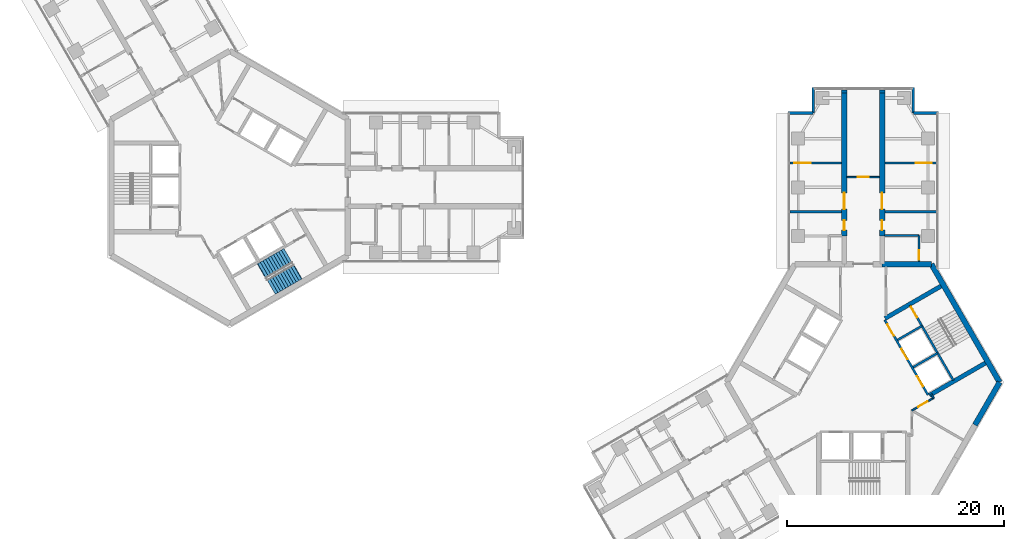
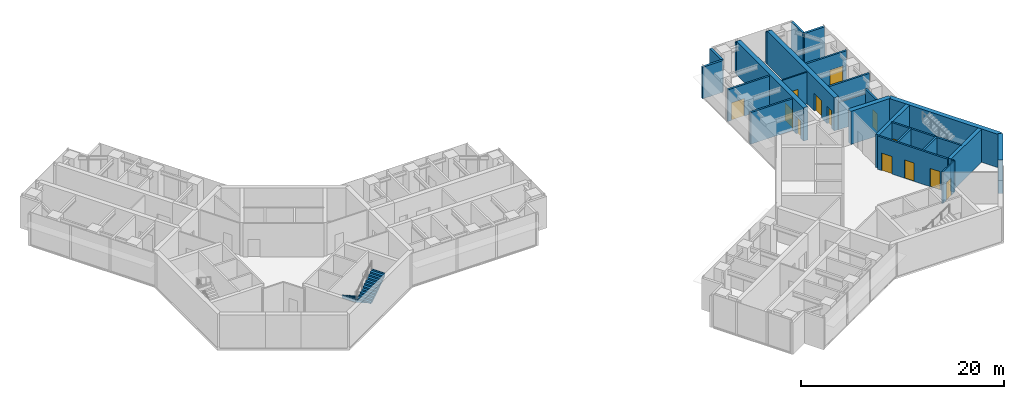
# One storey, part 15 of 17: 26 walls, 13 doors, 2 stair flights, 13 openings, 1 element without a shape of its own.
"""IFC4 building model written with IfcOpenShell, lengths in metres."""

from ifc_helpers import new_model, si_unit, direction, frame, frame_2d, origin, place, context, subcontext, project, spatial, polyline, rectangle, outline, extrude, material, layer, layer_set, type_object, element, fill, aggregate, save


model = new_model("IFC4")

# Units and contexts
model_context = context("Model", 3, precision=1e-05, world=origin(), true_north=direction((0.0, 1.0)))
body_context = subcontext(model_context, "Body", "Model", "MODEL_VIEW")
ifc_project = project(units=[si_unit("LENGTHUNIT", "METRE"), si_unit("AREAUNIT", "SQUARE_METRE"), si_unit("VOLUMEUNIT", "CUBIC_METRE"), si_unit("PLANEANGLEUNIT", "RADIAN"), si_unit("MASSUNIT", "GRAM", prefix="KILO")], contexts=[model_context])

# Site, building, storey
site_placement = place(None, origin())
site = spatial("IfcSite", under=ifc_project, at=site_placement, CompositionType="ELEMENT")
building_placement = place(site_placement, origin())
building = spatial("IfcBuilding", under=site, at=building_placement, Name="Upepo Twin Towers", CompositionType="ELEMENT")
storey_placement = place(building_placement, frame((0.0, 0.0, 190.5)))
storey = spatial("IfcBuildingStorey", under=building, at=storey_placement, Name="L46", CompositionType="ELEMENT", Elevation=190.5)

# Wall
ifc_material_1 = material(Name="Concrete blockwork, plastered both faces", Category="masonry")
ifc_layer_1 = layer(ifc_material_1, 0.215087890625)
ifc_layer_set_1 = layer_set([ifc_layer_1], Name="Blockwork partition 215")
wall_type_1 = type_object("IfcWallType", Name="Blockwork partition 215", PredefinedType="PARTITIONING", material=ifc_layer_set_1)
wall_1_placement = place(storey_placement, frame((56.5, -2.25, 0.0), z_axis=(0.0, 0.0, 1.0), x_axis=(-1.0, 0.0, 0.0)))
element("IfcWall", 1, at=wall_1_placement, inside=storey, type_object=wall_type_1, Name="T2 partition AL at 15.75", PredefinedType="PARTITIONING", context=body_context, shape_type="SweptSolid", body=[
    extrude(rectangle(XDim=4.75, YDim=0.215087890625, at=frame_2d((2.375, 0.0))), origin(), (0.0, 0.0, 1.0), 3.800048828125),
])

# Wall, opening, door
wall_2_placement = place(storey_placement, frame((56.5, 2.25, 0.0), z_axis=(0.0, 0.0, 1.0), x_axis=(-1.0, 0.0, 0.0)))
wall_2 = element("IfcWall", 2, at=wall_2_placement, inside=storey, type_object=wall_type_1, Name="T2 partition AL at 20.25", PredefinedType="PARTITIONING", context=body_context, shape_type="SweptSolid", body=[
    extrude(rectangle(XDim=4.75, YDim=0.215087890625, at=frame_2d((2.375, 0.0))), origin(), (0.0, 0.0, 1.0), 3.800048828125),
])
opening_1_placement = place(wall_2_placement, frame((2.85009765625, 0.0, 0.0)))
opening_1 = element("IfcOpeningElement", 3, at=opening_1_placement, cuts=wall_2, Name="Opening D13", PredefinedType="OPENING", context=body_context, shape_type="SweptSolid", body=[
    extrude(rectangle(XDim=1.5, YDim=2.10009765625, at=frame_2d((0.75, 1.050048828125))), frame((0.0, 0.117431640625, 0.0), z_axis=(0.0, -1.0, 0.0), x_axis=(1.0, 0.0, 0.0)), (0.0, 0.0, 1.0), 0.235107421875),
])
ifc_material_2 = material(Name="Timber doorset", Category="wood")
door_type_1 = type_object("IfcDoorType", Name="Double door 1500 FD30", OperationType="DOUBLE_DOOR_SINGLE_SWING", PredefinedType="DOOR", material=ifc_material_2)
door_1_placement = place(opening_1_placement, origin())
door_1 = element("IfcDoor", 4, at=door_1_placement, inside=storey, type_object=door_type_1, Name="T2 L46 connecting door", OperationType="DOUBLE_DOOR_SINGLE_SWING", OverallHeight=2.10009765625, OverallWidth=1.5, PredefinedType="DOOR", context=body_context, shape_type="SweptSolid", body=[
    extrude(rectangle(XDim=1.5, YDim=2.10009765625, at=frame_2d((0.75, 1.050048828125))), frame((0.0, 0.02490234375, 0.0), z_axis=(0.0, -1.0, 0.0), x_axis=(1.0, 0.0, 0.0)), (0.0, 0.0, 1.0), 0.050048828125),
])
fill(opening_1, door_1)

# Wall
wall_3_placement = place(storey_placement, frame((60.5, -2.25, 0.0), z_axis=(0.0, 0.0, 1.0), x_axis=(1.0, 0.0, 0.0)))
element("IfcWall", 5, at=wall_3_placement, inside=storey, type_object=wall_type_1, Name="T2 partition AR at 15.75", PredefinedType="PARTITIONING", context=body_context, shape_type="SweptSolid", body=[
    extrude(rectangle(XDim=4.75, YDim=0.215087890625, at=frame_2d((2.375, 0.0))), origin(), (0.0, 0.0, 1.0), 3.800048828125),
])

# Wall, opening, door
wall_4_placement = place(storey_placement, frame((60.5, 2.25, 0.0), z_axis=(0.0, 0.0, 1.0), x_axis=(1.0, 0.0, 0.0)))
wall_4 = element("IfcWall", 6, at=wall_4_placement, inside=storey, type_object=wall_type_1, Name="T2 partition AR at 20.25", PredefinedType="PARTITIONING", context=body_context, shape_type="SweptSolid", body=[
    extrude(rectangle(XDim=4.75, YDim=0.215087890625, at=frame_2d((2.375, 0.0))), origin(), (0.0, 0.0, 1.0), 3.800048828125),
])
opening_2_placement = place(wall_4_placement, frame((2.85009765625, 0.0, 0.0)))
opening_2 = element("IfcOpeningElement", 7, at=opening_2_placement, cuts=wall_4, Name="Opening D13", PredefinedType="OPENING", context=body_context, shape_type="SweptSolid", body=[
    extrude(rectangle(XDim=1.5, YDim=2.10009765625, at=frame_2d((0.75, 1.050048828125))), frame((0.0, 0.117431640625, 0.0), z_axis=(0.0, -1.0, 0.0), x_axis=(1.0, 0.0, 0.0)), (0.0, 0.0, 1.0), 0.235107421875),
])
door_2_placement = place(opening_2_placement, origin())
door_2 = element("IfcDoor", 8, at=door_2_placement, inside=storey, type_object=door_type_1, Name="T2 L46 connecting door", OperationType="DOUBLE_DOOR_SINGLE_SWING", OverallHeight=2.10009765625, OverallWidth=1.5, PredefinedType="DOOR", context=body_context, shape_type="SweptSolid", body=[
    extrude(rectangle(XDim=1.5, YDim=2.10009765625, at=frame_2d((0.75, 1.050048828125))), frame((0.0, 0.02490234375, 0.0), z_axis=(0.0, -1.0, 0.0), x_axis=(1.0, 0.0, 0.0)), (0.0, 0.0, 1.0), 0.050048828125),
])
fill(opening_2, door_2)

wall_5_placement = place(storey_placement, frame((63.64990234375, -6.842041015625, 0.0), z_axis=(0.0, 0.0, 1.0), x_axis=(0.0, 1.0, 0.0)))
wall_5 = element("IfcWall", 9, at=wall_5_placement, inside=storey, type_object=wall_type_1, Name="T2 WC bay partition AR at 11.16", PredefinedType="PARTITIONING", context=body_context, shape_type="SweptSolid", body=[
    extrude(rectangle(XDim=2.400146484375, YDim=0.215087890625, at=frame_2d((1.2001953125, 0.0))), origin(), (0.0, 0.0, 1.0), 3.800048828125),
])
opening_3_placement = place(wall_5_placement, frame((0.14990234375, 0.0, 0.0)))
opening_3 = element("IfcOpeningElement", 10, at=opening_3_placement, cuts=wall_5, Name="Opening D14", PredefinedType="OPENING", context=body_context, shape_type="SweptSolid", body=[
    extrude(rectangle(XDim=0.89990234375, YDim=2.10009765625, at=frame_2d((0.449951171875, 1.050048828125))), frame((0.0, 0.117431640625, 0.0), z_axis=(0.0, -1.0, 0.0), x_axis=(1.0, 0.0, 0.0)), (0.0, 0.0, 1.0), 0.235107421875),
])
ifc_material_3 = material(Name="Timber doorset", Category="wood")
door_type_2 = type_object("IfcDoorType", Name="Office door 900 FD30", OperationType="SINGLE_SWING_LEFT", PredefinedType="DOOR", material=ifc_material_3)
door_3_placement = place(opening_3_placement, origin())
door_3 = element("IfcDoor", 11, at=door_3_placement, inside=storey, type_object=door_type_2, Name="T2 L46 WC bay inner room door", OperationType="SINGLE_SWING_LEFT", OverallHeight=2.10009765625, OverallWidth=0.89990234375, PredefinedType="DOOR", context=body_context, shape_type="SweptSolid", body=[
    extrude(rectangle(XDim=0.89990234375, YDim=2.10009765625, at=frame_2d((0.449951171875, 1.050048828125))), frame((0.0, 0.02490234375, 0.0), z_axis=(0.0, -1.0, 0.0), x_axis=(1.0, 0.0, 0.0)), (0.0, 0.0, 1.0), 0.050048828125),
])
fill(opening_3, door_3)

# Walls
wall_6_placement = place(storey_placement, frame((60.449951171875, -4.44189453125, 0.0), z_axis=(0.0, 0.0, 1.0), x_axis=(1.0, 0.0, 0.0)))
element("IfcWall", 12, at=wall_6_placement, inside=storey, type_object=wall_type_1, Name="T2 WC bay partition AR end at 13.56", PredefinedType="PARTITIONING", context=body_context, shape_type="SweptSolid", body=[
    extrude(rectangle(XDim=3.199951171875, YDim=0.215087890625, at=frame_2d((1.60009765625, 0.0))), origin(), (0.0, 0.0, 1.0), 3.266845703125),
])
ifc_material_4 = material(Name="Dense concrete blockwork", Category="masonry")
ifc_layer_2 = layer(ifc_material_4, 0.5)
ifc_layer_set_2 = layer_set([ifc_layer_2], Name="Buttress closer 500, blockwork with fire-stopping to the curtain wall")
wall_type_2 = type_object("IfcWallType", Name="Buttress closer 500, blockwork with fire-stopping to the curtain wall", PredefinedType="PARTITIONING", material=ifc_layer_set_2)
for number, where, z_axis, x_axis, name in (
    (13, (56.75, 8.699951171875, 0.0), (0.0, 0.0, 1.0), (0.0, 1.0, 0.0), "T2 L46 wing A buttress closer L"),
    (14, (60.25, 8.699951171875, 0.0), (0.0, 0.0, 1.0), (0.0, 1.0, 0.0), "T2 L46 wing A buttress closer R"),
):
    element("IfcWall", number, at=place(storey_placement, frame(where, z_axis=z_axis, x_axis=x_axis)), inside=storey, type_object=wall_type_2, Name=name, PredefinedType="PARTITIONING", context=body_context, shape_type="SweptSolid", body=[
        extrude(rectangle(XDim=0.28759765625, YDim=0.5, at=frame_2d((0.143798828125, 0.0))), origin(), (0.0, 0.0, 1.0), 3.800048828125),
    ])

# Wall, openings, doors
ifc_material_5 = material(Name="Concrete C60/75", Category="concrete")
ifc_layer_3 = layer(ifc_material_5, 0.5)
ifc_layer_set_3 = layer_set([ifc_layer_3], Name="Concrete C60/75")
wall_type_3 = type_object("IfcWallType", Name="Buttress wall 500 RC", PredefinedType="SHEAR", material=ifc_layer_set_3)
wall_7_placement = place(storey_placement, frame((56.75, -4.5, 0.0), z_axis=(0.0, 0.0, 1.0), x_axis=(0.0, 1.0, 0.0)))
wall_7 = element("IfcWall", 15, at=wall_7_placement, inside=storey, type_object=wall_type_3, Name="T2 wing A buttress wall L part 2", PredefinedType="SHEAR", context=body_context, shape_type="SweptSolid", body=[
    extrude(rectangle(XDim=13.199951171875, YDim=0.5, at=frame_2d((6.60009765625, 0.0))), origin(), (0.0, 0.0, 1.0), 4.0),
])
opening_4_placement = place(wall_7_placement, frame((0.550048828125, 0.0, 0.0)))
opening_4 = element("IfcOpeningElement", 16, at=opening_4_placement, cuts=wall_7, Name="Opening D11", PredefinedType="OPENING", context=body_context, shape_type="SweptSolid", body=[
    extrude(rectangle(XDim=0.89990234375, YDim=2.10009765625, at=frame_2d((0.449951171875, 1.050048828125))), frame((0.0, 0.260009765625, 0.0), z_axis=(0.0, -1.0, 0.0), x_axis=(1.0, 0.0, 0.0)), (0.0, 0.0, 1.0), 0.52001953125),
])
opening_5_placement = place(wall_7_placement, frame((2.5, 0.0, 0.0)))
opening_5 = element("IfcOpeningElement", 17, at=opening_5_placement, cuts=wall_7, Name="Opening D13", PredefinedType="OPENING", context=body_context, shape_type="SweptSolid", body=[
    extrude(rectangle(XDim=1.5, YDim=2.10009765625, at=frame_2d((0.75, 1.050048828125))), frame((0.0, 0.260009765625, 0.0), z_axis=(0.0, -1.0, 0.0), x_axis=(1.0, 0.0, 0.0)), (0.0, 0.0, 1.0), 0.52001953125),
])
door_4_placement = place(opening_5_placement, origin())
door_4 = element("IfcDoor", 18, at=door_4_placement, inside=storey, type_object=door_type_1, Name="T2 L46 tutorial room door", OperationType="DOUBLE_DOOR_SINGLE_SWING", OverallHeight=2.10009765625, OverallWidth=1.5, PredefinedType="DOOR", context=body_context, shape_type="SweptSolid", body=[
    extrude(rectangle(XDim=1.5, YDim=2.10009765625, at=frame_2d((0.75, 1.050048828125))), frame((0.0, 0.02490234375, 0.0), z_axis=(0.0, -1.0, 0.0), x_axis=(1.0, 0.0, 0.0)), (0.0, 0.0, 1.0), 0.050048828125),
])
fill(opening_5, door_4)
ifc_material_6 = material(Name="Timber doorset", Category="wood")
door_type_3 = type_object("IfcDoorType", Name="Toilet door 900", OperationType="SINGLE_SWING_LEFT", PredefinedType="DOOR", material=ifc_material_6)
door_5_placement = place(opening_4_placement, origin())
door_5 = element("IfcDoor", 19, at=door_5_placement, inside=storey, type_object=door_type_3, Name="T2 L46 toilets door", OperationType="SINGLE_SWING_LEFT", OverallHeight=2.10009765625, OverallWidth=0.89990234375, PredefinedType="DOOR", context=body_context, shape_type="SweptSolid", body=[
    extrude(rectangle(XDim=0.89990234375, YDim=2.10009765625, at=frame_2d((0.449951171875, 1.050048828125))), frame((0.0, 0.02490234375, 0.0), z_axis=(0.0, -1.0, 0.0), x_axis=(1.0, 0.0, 0.0)), (0.0, 0.0, 1.0), 0.050048828125),
])
fill(opening_4, door_5)

wall_8_placement = place(storey_placement, frame((60.25, -4.5, 0.0), z_axis=(0.0, 0.0, 1.0), x_axis=(0.0, 1.0, 0.0)))
wall_8 = element("IfcWall", 20, at=wall_8_placement, inside=storey, type_object=wall_type_3, Name="T2 wing A buttress wall R part 2", PredefinedType="SHEAR", context=body_context, shape_type="SweptSolid", body=[
    extrude(rectangle(XDim=13.199951171875, YDim=0.5, at=frame_2d((6.60009765625, 0.0))), origin(), (0.0, 0.0, 1.0), 4.0),
])
opening_6_placement = place(wall_8_placement, frame((0.550048828125, 0.0, 0.0)))
opening_6 = element("IfcOpeningElement", 21, at=opening_6_placement, cuts=wall_8, Name="Opening D11", PredefinedType="OPENING", context=body_context, shape_type="SweptSolid", body=[
    extrude(rectangle(XDim=0.89990234375, YDim=2.10009765625, at=frame_2d((0.449951171875, 1.050048828125))), frame((0.0, 0.260009765625, 0.0), z_axis=(0.0, -1.0, 0.0), x_axis=(1.0, 0.0, 0.0)), (0.0, 0.0, 1.0), 0.52001953125),
])
opening_7_placement = place(wall_8_placement, frame((2.5, 0.0, 0.0)))
opening_7 = element("IfcOpeningElement", 22, at=opening_7_placement, cuts=wall_8, Name="Opening D13", PredefinedType="OPENING", context=body_context, shape_type="SweptSolid", body=[
    extrude(rectangle(XDim=1.5, YDim=2.10009765625, at=frame_2d((0.75, 1.050048828125))), frame((0.0, 0.260009765625, 0.0), z_axis=(0.0, -1.0, 0.0), x_axis=(1.0, 0.0, 0.0)), (0.0, 0.0, 1.0), 0.52001953125),
])
door_6_placement = place(opening_7_placement, origin())
door_6 = element("IfcDoor", 23, at=door_6_placement, inside=storey, type_object=door_type_1, Name="T2 L46 lecture room door", OperationType="DOUBLE_DOOR_SINGLE_SWING", OverallHeight=2.10009765625, OverallWidth=1.5, PredefinedType="DOOR", context=body_context, shape_type="SweptSolid", body=[
    extrude(rectangle(XDim=1.5, YDim=2.10009765625, at=frame_2d((0.75, 1.050048828125))), frame((0.0, 0.02490234375, 0.0), z_axis=(0.0, -1.0, 0.0), x_axis=(1.0, 0.0, 0.0)), (0.0, 0.0, 1.0), 0.050048828125),
])
fill(opening_7, door_6)
door_7_placement = place(opening_6_placement, origin())
door_7 = element("IfcDoor", 24, at=door_7_placement, inside=storey, type_object=door_type_3, Name="T2 L46 accessible wc door", OperationType="SINGLE_SWING_LEFT", OverallHeight=2.10009765625, OverallWidth=0.89990234375, PredefinedType="DOOR", context=body_context, shape_type="SweptSolid", body=[
    extrude(rectangle(XDim=0.89990234375, YDim=2.10009765625, at=frame_2d((0.449951171875, 1.050048828125))), frame((0.0, 0.02490234375, 0.0), z_axis=(0.0, -1.0, 0.0), x_axis=(1.0, 0.0, 0.0)), (0.0, 0.0, 1.0), 0.050048828125),
])
fill(opening_6, door_7)

# Walls
ifc_material_7 = material(Name="Concrete C60/75", Category="concrete")
ifc_layer_4 = layer(ifc_material_7, 0.5)
ifc_layer_set_4 = layer_set([ifc_layer_4], Name="Concrete C60/75")
wall_type_4 = type_object("IfcWallType", Name="Core wall 500 RC", PredefinedType="SHEAR", material=ifc_layer_set_4)
wall_9_placement = place(storey_placement, frame((64.7978515625, -7.091552734375, 0.0), z_axis=(0.0, 0.0, 1.0), x_axis=(-1.0, 0.0, 0.0)))
element("IfcWall", 25, at=wall_9_placement, inside=storey, type_object=wall_type_4, Name="T2 core wall 000 R", PredefinedType="SHEAR", context=body_context, shape_type="SweptSolid", body=[
    extrude(rectangle(XDim=4.5478515625, YDim=0.5, at=frame_2d((2.27392578125, 0.0))), origin(), (0.0, 0.0, 1.0), 4.0),
])
wall_10_placement = place(storey_placement, frame((68.82177734375, -21.938720703125, 0.0), z_axis=(0.0, 0.0, 1.0), x_axis=(0.500024481964, 0.866011268655, 0.0)))
element("IfcWall", 26, at=wall_10_placement, inside=storey, type_object=wall_type_4, Name="T2 core wall 240 L", PredefinedType="SHEAR", context=body_context, shape_type="SweptSolid", body=[
    extrude(rectangle(XDim=4.548095703125, YDim=0.5, at=frame_2d((2.27392578125, 0.0))), origin(), (0.0, 0.0, 1.0), 4.0),
])
wall_11_placement = place(storey_placement, frame((71.095947265625, -18.0, 0.0), z_axis=(0.0, 0.0, 1.0), x_axis=(-0.500005998175, 0.866021940709, 0.0)))
element("IfcWall", 27, at=wall_11_placement, inside=storey, type_object=wall_type_4, Name="T2 core wall 300", PredefinedType="SHEAR", context=body_context, shape_type="SweptSolid", body=[
    extrude(rectangle(XDim=12.595947265625, YDim=0.5, at=frame_2d((6.2978515625, 0.0))), origin(), (0.0, 0.0, 1.0), 4.0),
])
ifc_material_8 = material(Name="Blockwork with anodised aluminium cladding", Category="masonry")
ifc_layer_5 = layer(ifc_material_8, 0.25)
ifc_layer_set_5 = layer_set([ifc_layer_5], Name="Notch cladding wall 250, pale metal")
wall_type_5 = type_object("IfcWallType", Name="Notch cladding wall 250, pale metal", PredefinedType="STANDARD", material=ifc_layer_set_5)
for number, where, z_axis, x_axis, name in (
    (28, (51.550048828125, 6.875, 0.0), (0.0, 0.0, 1.0), (1.0, 0.0, 0.0), "T2 L46 wing A notch wall L1"),
    (29, (53.875, 6.875, 0.0), (0.0, 0.0, 1.0), (0.0, 1.0, 0.0), "T2 L46 wing A notch wall L2"),
    (30, (65.449951171875, 6.875, 0.0), (0.0, 0.0, 1.0), (-1.0, 0.0, 0.0), "T2 L46 wing A notch wall R1"),
    (31, (63.125, 6.875, 0.0), (0.0, 0.0, 1.0), (0.0, 1.0, 0.0), "T2 L46 wing A notch wall R2"),
):
    element("IfcWall", number, at=place(storey_placement, frame(where, z_axis=z_axis, x_axis=x_axis)), inside=storey, type_object=wall_type_5, Name=name, PredefinedType="STANDARD", context=body_context, shape_type="SweptSolid", body=[
        extrude(rectangle(XDim=2.324951171875, YDim=0.25, at=frame_2d((1.16259765625, 0.0))), origin(), (0.0, 0.0, 1.0), 3.800048828125),
    ])

# Wall, openings, doors
ifc_material_9 = material(Name="Concrete C40/50", Category="concrete")
ifc_layer_6 = layer(ifc_material_9, 0.199951171875)
ifc_layer_set_6 = layer_set([ifc_layer_6], Name="Concrete C40/50")
wall_type_6 = type_object("IfcWallType", Name="Shaft wall 200 RC", PredefinedType="SHEAR", material=ifc_layer_set_6)
wall_12_placement = place(storey_placement, frame((64.483642578125, -19.1640625, 0.0), z_axis=(0.0, 0.0, 1.0), x_axis=(-0.49999894854, 0.866026010844, 0.0)))
wall_12 = element("IfcWall", 32, at=wall_12_placement, inside=storey, type_object=wall_type_6, Name="T2 core W300 front wall", PredefinedType="SHEAR", context=body_context, shape_type="SweptSolid", body=[
    extrude(rectangle(XDim=8.0, YDim=0.199951171875, at=frame_2d((4.0, 0.0))), origin(), (0.0, 0.0, 1.0), 4.0),
])
opening_8_placement = place(wall_12_placement, frame((6.300048828125, 0.0, 0.0)))
opening_8 = element("IfcOpeningElement", 33, at=opening_8_placement, cuts=wall_12, Name="Opening D4", PredefinedType="OPENING", context=body_context, shape_type="SweptSolid", body=[
    extrude(rectangle(XDim=1.199951171875, YDim=2.10009765625, at=frame_2d((0.60009765625, 1.050048828125))), frame((0.0, 0.10986328125, 0.0), z_axis=(0.0, -1.0, 0.0), x_axis=(1.0, 0.0, 0.0)), (0.0, 0.0, 1.0), 0.219970703125),
])
opening_9_placement = place(wall_12_placement, frame((0.89990234375, 0.0, 0.0)))
opening_9 = element("IfcOpeningElement", 34, at=opening_9_placement, cuts=wall_12, Name="Opening LD1", PredefinedType="OPENING", context=body_context, shape_type="SweptSolid", body=[
    extrude(rectangle(XDim=1.10009765625, YDim=2.199951171875, at=frame_2d((0.550048828125, 1.10009765625))), frame((0.0, 0.10986328125, 0.0), z_axis=(0.0, -1.0, 0.0), x_axis=(1.0, 0.0, 0.0)), (0.0, 0.0, 1.0), 0.219970703125),
])
opening_10_placement = place(wall_12_placement, frame((3.800048828125, 0.0, 0.0)))
opening_10 = element("IfcOpeningElement", 35, at=opening_10_placement, cuts=wall_12, Name="Opening LD1", PredefinedType="OPENING", context=body_context, shape_type="SweptSolid", body=[
    extrude(rectangle(XDim=1.10009765625, YDim=2.199951171875, at=frame_2d((0.550048828125, 1.10009765625))), frame((0.0, 0.10986328125, 0.0), z_axis=(0.0, -1.0, 0.0), x_axis=(1.0, 0.0, 0.0)), (0.0, 0.0, 1.0), 0.219970703125),
])
ifc_material_10 = material(Name="Steel doorset", Category="steel")
door_type_4 = type_object("IfcDoorType", Name="Lift landing door 1100", OperationType="DOUBLE_DOOR_SLIDING", PredefinedType="DOOR", material=ifc_material_10)
door_8_placement = place(opening_9_placement, origin())
door_8 = element("IfcDoor", 36, at=door_8_placement, inside=storey, type_object=door_type_4, Name="T2 L46 lift UL1 landing door", OperationType="DOUBLE_DOOR_SLIDING", OverallHeight=2.199951171875, OverallWidth=1.10009765625, PredefinedType="DOOR", context=body_context, shape_type="SweptSolid", body=[
    extrude(rectangle(XDim=1.10009765625, YDim=2.199951171875, at=frame_2d((0.550048828125, 1.10009765625))), frame((0.0, 0.02490234375, 0.0), z_axis=(0.0, -1.0, 0.0), x_axis=(1.0, 0.0, 0.0)), (0.0, 0.0, 1.0), 0.050048828125),
])
fill(opening_9, door_8)
door_9_placement = place(opening_10_placement, origin())
door_9 = element("IfcDoor", 37, at=door_9_placement, inside=storey, type_object=door_type_4, Name="T2 L46 lift UL2 landing door", OperationType="DOUBLE_DOOR_SLIDING", OverallHeight=2.199951171875, OverallWidth=1.10009765625, PredefinedType="DOOR", context=body_context, shape_type="SweptSolid", body=[
    extrude(rectangle(XDim=1.10009765625, YDim=2.199951171875, at=frame_2d((0.550048828125, 1.10009765625))), frame((0.0, 0.02490234375, 0.0), z_axis=(0.0, -1.0, 0.0), x_axis=(1.0, 0.0, 0.0)), (0.0, 0.0, 1.0), 0.050048828125),
])
fill(opening_10, door_9)
ifc_material_11 = material(Name="Timber doorset", Category="wood")
door_type_5 = type_object("IfcDoorType", Name="Lobby door 1200 FD60", OperationType="SINGLE_SWING_LEFT", PredefinedType="DOOR", material=ifc_material_11)
door_10_placement = place(opening_8_placement, origin())
door_10 = element("IfcDoor", 38, at=door_10_placement, inside=storey, type_object=door_type_5, Name="T2 L46 W300 lobby door", OperationType="SINGLE_SWING_RIGHT", OverallHeight=2.10009765625, OverallWidth=1.199951171875, PredefinedType="DOOR", context=body_context, shape_type="SweptSolid", body=[
    extrude(rectangle(XDim=1.199951171875, YDim=2.10009765625, at=frame_2d((0.60009765625, 1.050048828125))), frame((0.0, 0.02490234375, 0.0), z_axis=(0.0, -1.0, 0.0), x_axis=(1.0, 0.0, 0.0)), (0.0, 0.0, 1.0), 0.050048828125),
])
fill(opening_8, door_10)

# Walls
wall_13_placement = place(storey_placement, frame((63.120361328125, -16.6025390625, 0.0), z_axis=(0.0, 0.0, 1.0), x_axis=(0.866062058628, 0.499936506574, 0.0)))
element("IfcWall", 39, at=wall_13_placement, inside=storey, type_object=wall_type_6, Name="T2 core W300 shaft divider", PredefinedType="SHEAR", context=body_context, shape_type="SweptSolid", body=[
    extrude(rectangle(XDim=2.599853515625, YDim=0.199951171875, at=frame_2d((1.2998046875, 0.0))), origin(), (0.0, 0.0, 1.0), 4.0),
])
wall_14_placement = place(storey_placement, frame((61.67041015625, -14.091064453125, 0.0), z_axis=(0.0, 0.0, 1.0), x_axis=(0.86603858612, 0.49997716683, 0.0)))
element("IfcWall", 40, at=wall_14_placement, inside=storey, type_object=wall_type_6, Name="T2 core W300 lobby wall", PredefinedType="SHEAR", context=body_context, shape_type="SweptSolid", body=[
    extrude(rectangle(XDim=2.599609375, YDim=0.199951171875, at=frame_2d((1.2998046875, 0.0))), origin(), (0.0, 0.0, 1.0), 4.0),
])

# Wall, opening, door
wall_15_placement = place(storey_placement, frame((66.822021484375, -17.814208984375, 0.0), z_axis=(0.0, 0.0, 1.0), x_axis=(-0.49999894854, 0.866026010844, 0.0)))
wall_15 = element("IfcWall", 41, at=wall_15_placement, inside=storey, type_object=wall_type_6, Name="T2 core W300 stair wall", PredefinedType="SHEAR", context=body_context, shape_type="SweptSolid", body=[
    extrude(rectangle(XDim=8.0, YDim=0.199951171875, at=frame_2d((4.0, 0.0))), origin(), (0.0, 0.0, 1.0), 4.0),
])
opening_11_placement = place(wall_15_placement, frame((6.699951171875, 0.0, 0.0)))
opening_11 = element("IfcOpeningElement", 42, at=opening_11_placement, cuts=wall_15, Name="Opening D3", PredefinedType="OPENING", context=body_context, shape_type="SweptSolid", body=[
    extrude(rectangle(XDim=1.10009765625, YDim=2.10009765625, at=frame_2d((0.550048828125, 1.050048828125))), frame((0.0, 0.10986328125, 0.0), z_axis=(0.0, -1.0, 0.0), x_axis=(1.0, 0.0, 0.0)), (0.0, 0.0, 1.0), 0.219970703125),
])
ifc_material_12 = material(Name="Timber doorset", Category="wood")
door_type_6 = type_object("IfcDoorType", Name="Stair door 1100 FD60", OperationType="SINGLE_SWING_LEFT", PredefinedType="DOOR", material=ifc_material_12)
door_11_placement = place(opening_11_placement, origin())
door_11 = element("IfcDoor", 43, at=door_11_placement, inside=storey, type_object=door_type_6, Name="T2 L46 stair door", OperationType="SINGLE_SWING_RIGHT", OverallHeight=2.10009765625, OverallWidth=1.10009765625, PredefinedType="DOOR", context=body_context, shape_type="SweptSolid", body=[
    extrude(rectangle(XDim=1.10009765625, YDim=2.10009765625, at=frame_2d((0.550048828125, 1.050048828125))), frame((0.0, 0.02490234375, 0.0), z_axis=(0.0, -1.0, 0.0), x_axis=(1.0, 0.0, 0.0)), (0.0, 0.0, 1.0), 0.050048828125),
])
fill(opening_11, door_11)

# Walls
ifc_material_13 = material(Name="Concrete C40/50", Category="concrete")
ifc_layer_7 = layer(ifc_material_13, 0.39990234375)
ifc_layer_set_7 = layer_set([ifc_layer_7], Name="Concrete C40/50")
wall_type_7 = type_object("IfcWallType", Name="Shaft wall 400 RC", PredefinedType="SHEAR", material=ifc_layer_set_7)
wall_16_placement = place(storey_placement, frame((60.520263671875, -12.099365234375, 0.0), z_axis=(0.0, 0.0, 1.0), x_axis=(0.86602319114, 0.500003832394, 0.0)))
element("IfcWall", 44, at=wall_16_placement, inside=storey, type_object=wall_type_7, Name="T2 core W300 side wall N", PredefinedType="SHEAR", context=body_context, shape_type="SweptSolid", body=[
    extrude(rectangle(XDim=5.95849609375, YDim=0.39990234375, at=frame_2d((2.979248046875, 0.0))), origin(), (0.0, 0.0, 1.0), 4.0),
])
wall_17_placement = place(storey_placement, frame((64.620361328125, -19.20068359375, 0.0), z_axis=(0.0, 0.0, 1.0), x_axis=(0.866012946976, 0.500021575205, 0.0)))
element("IfcWall", 45, at=wall_17_placement, inside=storey, type_object=wall_type_7, Name="T2 core W300 side wall S", PredefinedType="SHEAR", context=body_context, shape_type="SweptSolid", body=[
    extrude(rectangle(XDim=5.958251953125, YDim=0.39990234375, at=frame_2d((2.97900390625, 0.0))), origin(), (0.0, 0.0, 1.0), 4.0),
])
ifc_material_14 = material(Name="Gypsum board on steel studs", Category="steel")
ifc_layer_8 = layer(ifc_material_14, 0.14990234375)
ifc_layer_set_8 = layer_set([ifc_layer_8], Name="Teaching partition 150 acoustic")
wall_type_8 = type_object("IfcWallType", Name="Teaching partition 150 acoustic", PredefinedType="PARTITIONING", material=ifc_layer_set_8)
wall_18_placement = place(storey_placement, frame((64.78857421875, -19.092041015625, 0.0), z_axis=(0.0, 0.0, 1.0), x_axis=(0.499804398801, -0.866138304741, 0.0)))
element("IfcWall", 46, at=wall_18_placement, inside=storey, type_object=wall_type_8, Name="T2 core room partition 6", PredefinedType="PARTITIONING", context=body_context, shape_type="SweptSolid", body=[
    extrude(rectangle(XDim=0.429931640625, YDim=0.14990234375, at=frame_2d((0.21484375, 0.0))), origin(), (0.0, 0.0, 1.0), 3.800048828125),
])

# Wall, opening, door
wall_19_placement = place(storey_placement, frame((65.0107421875, -19.43701171875, 0.0), z_axis=(0.0, 0.0, 1.0), x_axis=(-0.865982457891, -0.500074377092, 0.0)))
wall_19 = element("IfcWall", 47, at=wall_19_placement, inside=storey, type_object=wall_type_8, Name="T2 core room partition 7", PredefinedType="PARTITIONING", context=body_context, shape_type="SweptSolid", body=[
    extrude(rectangle(XDim=2.342041015625, YDim=0.14990234375, at=frame_2d((1.1708984375, 0.0))), origin(), (0.0, 0.0, 1.0), 3.800048828125),
])
opening_12_placement = place(wall_19_placement, frame((0.660888671875, 0.0, 0.0)))
opening_12 = element("IfcOpeningElement", 48, at=opening_12_placement, cuts=wall_19, Name="Opening D1", PredefinedType="OPENING", context=body_context, shape_type="SweptSolid", body=[
    extrude(rectangle(XDim=1.0, YDim=2.10009765625, at=frame_2d((0.5, 1.050048828125))), frame((0.0, 0.0849609375, 0.0), z_axis=(0.0, -1.0, 0.0), x_axis=(1.0, 0.0, 0.0)), (0.0, 0.0, 1.0), 0.169921875),
])
ifc_material_15 = material(Name="Timber doorset", Category="wood")
door_type_7 = type_object("IfcDoorType", Name="Room door 1000 FD30", OperationType="SINGLE_SWING_LEFT", PredefinedType="DOOR", material=ifc_material_15)
door_12_placement = place(opening_12_placement, origin())
door_12 = element("IfcDoor", 49, at=door_12_placement, inside=storey, type_object=door_type_7, Name="T2 L46 core room door K4", OperationType="SINGLE_SWING_LEFT", OverallHeight=2.10009765625, OverallWidth=1.0, PredefinedType="DOOR", context=body_context, shape_type="SweptSolid", body=[
    extrude(rectangle(XDim=1.0, YDim=2.10009765625, at=frame_2d((0.5, 1.050048828125))), frame((0.0, 0.02490234375, 0.0), z_axis=(0.0, -1.0, 0.0), x_axis=(1.0, 0.0, 0.0)), (0.0, 0.0, 1.0), 0.050048828125),
])
fill(opening_12, door_12)

wall_20_placement = place(storey_placement, frame((60.0, 0.949951171875, 0.0), z_axis=(0.0, 0.0, 1.0), x_axis=(-1.0, 0.0, 0.0)))
wall_20 = element("IfcWall", 50, at=wall_20_placement, inside=storey, type_object=wall_type_8, Name="T2 corridor end partition A at 18.95", PredefinedType="PARTITIONING", context=body_context, shape_type="SweptSolid", body=[
    extrude(rectangle(XDim=3.0, YDim=0.14990234375, at=frame_2d((1.5, 0.0))), origin(), (0.0, 0.0, 1.0), 3.800048828125),
])
opening_13_placement = place(wall_20_placement, frame((1.0, 0.0, 0.0)))
opening_13 = element("IfcOpeningElement", 51, at=opening_13_placement, cuts=wall_20, Name="Opening D1", PredefinedType="OPENING", context=body_context, shape_type="SweptSolid", body=[
    extrude(rectangle(XDim=1.0, YDim=2.10009765625, at=frame_2d((0.5, 1.050048828125))), frame((0.0, 0.0849609375, 0.0), z_axis=(0.0, -1.0, 0.0), x_axis=(1.0, 0.0, 0.0)), (0.0, 0.0, 1.0), 0.169921875),
])
door_13_placement = place(opening_13_placement, origin())
door_13 = element("IfcDoor", 52, at=door_13_placement, inside=storey, type_object=door_type_7, Name="T2 L46 breakout study room door", OperationType="SINGLE_SWING_LEFT", OverallHeight=2.10009765625, OverallWidth=1.0, PredefinedType="DOOR", context=body_context, shape_type="SweptSolid", body=[
    extrude(rectangle(XDim=1.0, YDim=2.10009765625, at=frame_2d((0.5, 1.050048828125))), frame((0.0, 0.02490234375, 0.0), z_axis=(0.0, -1.0, 0.0), x_axis=(1.0, 0.0, 0.0)), (0.0, 0.0, 1.0), 0.050048828125),
])
fill(opening_13, door_13)

# Stair, stair flights
ifc_material_16 = material(Name="Concrete C40/50", Category="concrete")
stair_type = type_object("IfcStairType", Name="Core stair, two flights", PredefinedType="HALF_TURN_STAIR", material=ifc_material_16)
stair_placement = place(storey_placement, origin())
stair = element("IfcStair", 53, at=stair_placement, inside=storey, type_object=stair_type, Name="T1 stair S2 L46", PredefinedType="HALF_TURN_STAIR")
ifc_material_17 = material(Name="Concrete C40/50", Category="concrete")
stair_flight_type = type_object("IfcStairFlightType", Name="Stair flight 1550 RC", PredefinedType="STRAIGHT", material=ifc_material_17)
stair_flight_1_placement = place(storey_placement, frame((5.40380859375, -6.31982421875, 0.0), z_axis=(0.0, 0.0, 1.0), x_axis=(-0.866025403784, -0.5, 0.0)))
stair_flight_1 = element("IfcStairFlight", 54, at=stair_flight_1_placement, type_object=stair_flight_type, Name="Stair S2 flight 1", NumberOfRisers=11, NumberOfTreads=10, PredefinedType="STRAIGHT", RiserHeight=0.181818182, TreadLength=0.28, context=body_context, shape_type="SweptSolid", body=[
    extrude(outline(polyline([(0.0, 0.0), (0.0, 0.181884765625), (0.280029296875, 0.181884765625), (0.280029296875, 0.363525390625), (0.56005859375, 0.363525390625), (0.56005859375, 0.54541015625), (0.840087890625, 0.54541015625), (0.840087890625, 0.727294921875), (1.1201171875, 0.727294921875), (1.1201171875, 0.9091796875), (1.39990234375, 0.9091796875), (1.39990234375, 1.0908203125), (1.679931640625, 1.0908203125), (1.679931640625, 1.272705078125), (1.9599609375, 1.272705078125), (1.9599609375, 1.45458984375), (2.239990234375, 1.45458984375), (2.239990234375, 1.636474609375), (2.52001953125, 1.636474609375), (2.52001953125, 1.818115234375), (2.800048828125, 1.818115234375), (2.800048828125, 2.0), (2.85009765625, 2.0), (2.85009765625, 1.639404296875), (0.3251953125, 0.0), (0.0, 0.0)])), frame((0.0, 0.77490234375, 0.0), z_axis=(0.0, -1.0, 0.0), x_axis=(1.0, 0.0, 0.0)), (0.0, 0.0, 1.0), 1.550048828125),
])
stair_flight_2_placement = place(storey_placement, frame((3.833251953125, -9.19921875, 2.0), z_axis=(0.0, 0.0, 1.0), x_axis=(0.866025403784, 0.5, 0.0)))
stair_flight_2 = element("IfcStairFlight", 55, at=stair_flight_2_placement, type_object=stair_flight_type, Name="Stair S2 flight 2", NumberOfRisers=11, NumberOfTreads=10, PredefinedType="STRAIGHT", RiserHeight=0.181818182, TreadLength=0.28, context=body_context, shape_type="SweptSolid", body=[
    extrude(outline(polyline([(0.0, 0.0), (0.0, 0.181884765625), (0.280029296875, 0.181884765625), (0.280029296875, 0.363525390625), (0.56005859375, 0.363525390625), (0.56005859375, 0.54541015625), (0.840087890625, 0.54541015625), (0.840087890625, 0.727294921875), (1.1201171875, 0.727294921875), (1.1201171875, 0.9091796875), (1.39990234375, 0.9091796875), (1.39990234375, 1.0908203125), (1.679931640625, 1.0908203125), (1.679931640625, 1.272705078125), (1.9599609375, 1.272705078125), (1.9599609375, 1.45458984375), (2.239990234375, 1.45458984375), (2.239990234375, 1.636474609375), (2.52001953125, 1.636474609375), (2.52001953125, 1.818115234375), (2.800048828125, 1.818115234375), (2.800048828125, 2.0), (2.85009765625, 2.0), (2.85009765625, 1.639404296875), (0.3251953125, 0.0), (0.0, 0.0)])), frame((0.0, 0.77490234375, 0.0), z_axis=(0.0, -1.0, 0.0), x_axis=(1.0, 0.0, 0.0)), (0.0, 0.0, 1.0), 1.550048828125),
])
aggregate(stair, [stair_flight_1, stair_flight_2])

save(model, "model.ifc")
